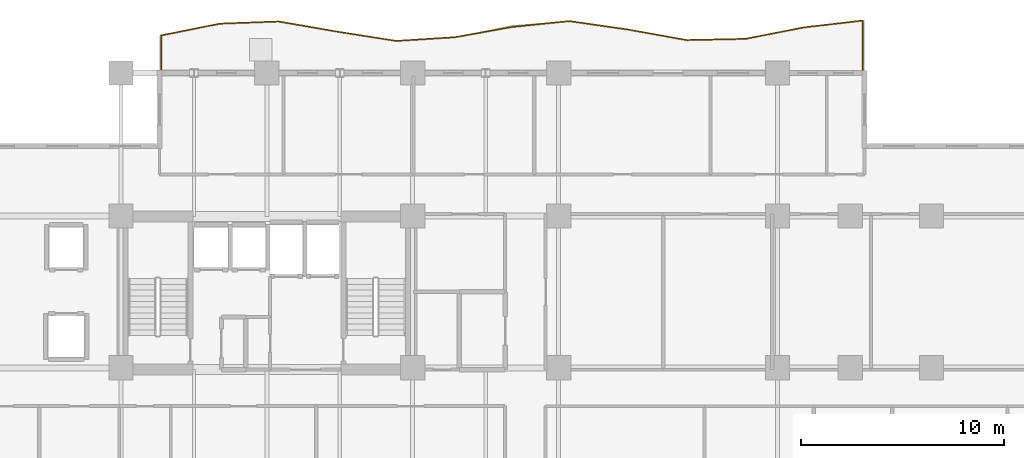
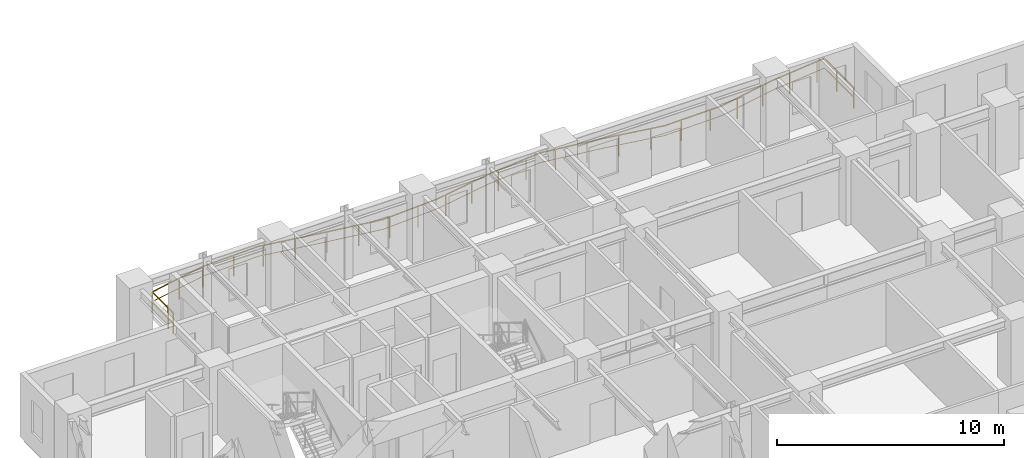
# One storey, part 11 of 11: 1 railing.
"""IFC4 building model written with IfcOpenShell, lengths in metres."""

from ifc_helpers import new_model, si_unit, direction, frame, origin, origin_2d, place, context, subcontext, project, spatial, rectangle, extrude, material, type_object, element, save


model = new_model("IFC4")

# Units and contexts
model_context = context("Model", 3, precision=1e-05, world=origin(), true_north=direction((0.0, 1.0)))
body_context = subcontext(model_context, "Body", "Model", "MODEL_VIEW")
ifc_project = project(units=[si_unit("LENGTHUNIT", "METRE"), si_unit("AREAUNIT", "SQUARE_METRE"), si_unit("VOLUMEUNIT", "CUBIC_METRE"), si_unit("PLANEANGLEUNIT", "RADIAN"), si_unit("MASSUNIT", "GRAM", prefix="KILO")], contexts=[model_context])

# Site, building, storey
site_placement = place(None, origin())
site = spatial("IfcSite", under=ifc_project, at=site_placement, CompositionType="ELEMENT")
building_placement = place(site_placement, origin())
building = spatial("IfcBuilding", under=site, at=building_placement, Name="Kaliganga Portal Commons", CompositionType="ELEMENT")
storey_placement = place(building_placement, frame((0.0, 0.0, 115.60009765625)))
storey = spatial("IfcBuildingStorey", under=building, at=storey_placement, Name="L29", CompositionType="ELEMENT", Elevation=115.60009765625)

# Railing
ifc_material = material(Name="Laminated Safety Glass and Stainless Steel 316", Category="steel")
railing_type = type_object("IfcRailingType", Name="RLG-BAL-1150", PredefinedType="BALUSTRADE", material=ifc_material)
railing_placement = place(storey_placement, frame((51.0205078125, 43.20849609375, 0.0)))
element("IfcRailing", 1, at=railing_placement, inside=storey, type_object=railing_type, Name="Balcony Guardrail L29 balc_north", PredefinedType="BALUSTRADE", context=body_context, shape_type="SweptSolid", body=[
    extrude(rectangle(XDim=0.048095703125, YDim=0.048095703125, at=origin_2d()), frame((0.0, 0.0, 1.1259765625), z_axis=(-0.000188679242, 0.9999999822, 0.0), x_axis=(-0.9999999822, -0.000188679242, 0.0)), (0.0, 0.0, 1.0), 2.587890625),
    extrude(rectangle(XDim=0.028076171875, YDim=0.028076171875, at=origin_2d()), frame((0.0, 0.0, 0.597900390625), z_axis=(-0.000188679242, 0.9999999822, 0.0), x_axis=(-0.9999999822, -0.000188679242, 0.0)), (0.0, 0.0, 1.0), 2.587890625),
    extrude(rectangle(XDim=0.048095703125, YDim=0.048095703125, at=origin_2d()), frame((-0.00048828125, 2.587890625, 1.1259765625), z_axis=(-0.993356824313, -0.115074843429, 0.0), x_axis=(0.115074843429, -0.993356824313, 0.0)), (0.0, 0.0, 1.0), 2.919189453125),
    extrude(rectangle(XDim=0.028076171875, YDim=0.028076171875, at=origin_2d()), frame((-0.00048828125, 2.587890625, 0.597900390625), z_axis=(-0.993356824313, -0.115074843429, 0.0), x_axis=(0.115074843429, -0.993356824313, 0.0)), (0.0, 0.0, 1.0), 2.919189453125),
    extrude(rectangle(XDim=0.048095703125, YDim=0.048095703125, at=origin_2d()), frame((-2.900390625, 2.251953125, 1.1259765625), z_axis=(-0.981301513989, -0.192476852226, 0.0), x_axis=(0.192476852226, -0.981301513989, 0.0)), (0.0, 0.0, 1.0), 2.955322265625),
    extrude(rectangle(XDim=0.028076171875, YDim=0.028076171875, at=origin_2d()), frame((-2.900390625, 2.251953125, 0.597900390625), z_axis=(-0.981301513989, -0.192476852226, 0.0), x_axis=(0.192476852226, -0.981301513989, 0.0)), (0.0, 0.0, 1.0), 2.955322265625),
    extrude(rectangle(XDim=0.048095703125, YDim=0.048095703125, at=origin_2d()), frame((-5.800537109375, 1.68310546875, 1.1259765625), z_axis=(-0.999778578842, -0.021042654042, 0.0), x_axis=(0.021042654042, -0.999778578842, 0.0)), (0.0, 0.0, 1.0), 2.900634765625),
    extrude(rectangle(XDim=0.028076171875, YDim=0.028076171875, at=origin_2d()), frame((-5.800537109375, 1.68310546875, 0.597900390625), z_axis=(-0.999778578842, -0.021042654042, 0.0), x_axis=(0.021042654042, -0.999778578842, 0.0)), (0.0, 0.0, 1.0), 2.900634765625),
    extrude(rectangle(XDim=0.048095703125, YDim=0.048095703125, at=origin_2d()), frame((-8.700439453125, 1.6220703125, 1.1259765625), z_axis=(-0.98412606857, 0.177470789601, 0.0), x_axis=(-0.177470789601, -0.98412606857, 0.0)), (0.0, 0.0, 1.0), 2.94677734375),
    extrude(rectangle(XDim=0.028076171875, YDim=0.028076171875, at=origin_2d()), frame((-8.700439453125, 1.6220703125, 0.597900390625), z_axis=(-0.98412606857, 0.177470789601, 0.0), x_axis=(-0.177470789601, -0.98412606857, 0.0)), (0.0, 0.0, 1.0), 2.94677734375),
    extrude(rectangle(XDim=0.048095703125, YDim=0.048095703125, at=origin_2d()), frame((-11.600341796875, 2.14501953125, 1.1259765625), z_axis=(-0.989896041483, 0.141795017739, 0.0), x_axis=(-0.141795017739, -0.989896041483, 0.0)), (0.0, 0.0, 1.0), 2.927001953125),
    extrude(rectangle(XDim=0.028076171875, YDim=0.028076171875, at=origin_2d()), frame((-11.600341796875, 2.14501953125, 0.597900390625), z_axis=(-0.989896041483, 0.141795017739, 0.0), x_axis=(-0.141795017739, -0.989896041483, 0.0)), (0.0, 0.0, 1.0), 2.927001953125),
    extrude(rectangle(XDim=0.048095703125, YDim=0.048095703125, at=origin_2d()), frame((-14.497802734375, 2.56005859375, 1.1259765625), z_axis=(-0.994806264144, -0.101786525729, 0.0), x_axis=(0.101786525729, -0.994806264144, 0.0)), (0.0, 0.0, 1.0), 2.83740234375),
    extrude(rectangle(XDim=0.028076171875, YDim=0.028076171875, at=origin_2d()), frame((-14.497802734375, 2.56005859375, 0.597900390625), z_axis=(-0.994806264144, -0.101786525729, 0.0), x_axis=(0.101786525729, -0.994806264144, 0.0)), (0.0, 0.0, 1.0), 2.83740234375),
    extrude(rectangle(XDim=0.048095703125, YDim=0.048095703125, at=origin_2d()), frame((-17.320556640625, 2.271240234375, 1.1259765625), z_axis=(-0.98412652958, -0.17746823315, 0.0), x_axis=(0.17746823315, -0.98412652958, 0.0)), (0.0, 0.0, 1.0), 2.865478515625),
    extrude(rectangle(XDim=0.028076171875, YDim=0.028076171875, at=origin_2d()), frame((-17.320556640625, 2.271240234375, 0.597900390625), z_axis=(-0.98412652958, -0.17746823315, 0.0), x_axis=(0.17746823315, -0.98412652958, 0.0)), (0.0, 0.0, 1.0), 2.865478515625),
    extrude(rectangle(XDim=0.048095703125, YDim=0.048095703125, at=origin_2d()), frame((-20.140625, 1.7626953125, 1.1259765625), z_axis=(-0.998059764727, -0.062263199669, 0.0), x_axis=(0.062263199669, -0.998059764727, 0.0)), (0.0, 0.0, 1.0), 2.905517578125),
    extrude(rectangle(XDim=0.028076171875, YDim=0.028076171875, at=origin_2d()), frame((-20.140625, 1.7626953125, 0.597900390625), z_axis=(-0.998059764727, -0.062263199669, 0.0), x_axis=(0.062263199669, -0.998059764727, 0.0)), (0.0, 0.0, 1.0), 2.905517578125),
    extrude(rectangle(XDim=0.048095703125, YDim=0.048095703125, at=origin_2d()), frame((-23.04052734375, 1.581787109375, 1.1259765625), z_axis=(-0.9877818378, 0.155843000845, 0.0), x_axis=(-0.155843000845, -0.9877818378, 0.0)), (0.0, 0.0, 1.0), 2.935791015625),
    extrude(rectangle(XDim=0.028076171875, YDim=0.028076171875, at=origin_2d()), frame((-23.04052734375, 1.581787109375, 0.597900390625), z_axis=(-0.9877818378, 0.155843000845, 0.0), x_axis=(-0.155843000845, -0.9877818378, 0.0)), (0.0, 0.0, 1.0), 2.935791015625),
    extrude(rectangle(XDim=0.048095703125, YDim=0.048095703125, at=origin_2d()), frame((-25.9404296875, 2.039306640625, 1.1259765625), z_axis=(-0.985324763946, 0.170690097997, 0.0), x_axis=(-0.170690097997, -0.985324763946, 0.0)), (0.0, 0.0, 1.0), 2.943603515625),
    extrude(rectangle(XDim=0.028076171875, YDim=0.028076171875, at=origin_2d()), frame((-25.9404296875, 2.039306640625, 0.597900390625), z_axis=(-0.985324763946, 0.170690097997, 0.0), x_axis=(-0.170690097997, -0.985324763946, 0.0)), (0.0, 0.0, 1.0), 2.943603515625),
    extrude(rectangle(XDim=0.048095703125, YDim=0.048095703125, at=origin_2d()), frame((-28.8408203125, 2.541748046875, 1.1259765625), z_axis=(-0.999292645016, -0.037605978475, 0.0), x_axis=(0.037605978475, -0.999292645016, 0.0)), (0.0, 0.0, 1.0), 2.90185546875),
    extrude(rectangle(XDim=0.028076171875, YDim=0.028076171875, at=origin_2d()), frame((-28.8408203125, 2.541748046875, 0.597900390625), z_axis=(-0.999292645016, -0.037605978475, 0.0), x_axis=(0.037605978475, -0.999292645016, 0.0)), (0.0, 0.0, 1.0), 2.90185546875),
    extrude(rectangle(XDim=0.048095703125, YDim=0.048095703125, at=origin_2d()), frame((-31.74072265625, 2.4326171875, 1.1259765625), z_axis=(-0.980621932886, -0.195909736213, 0.0), x_axis=(0.195909736213, -0.980621932886, 0.0)), (0.0, 0.0, 1.0), 2.957275390625),
    extrude(rectangle(XDim=0.028076171875, YDim=0.028076171875, at=origin_2d()), frame((-31.74072265625, 2.4326171875, 0.597900390625), z_axis=(-0.980621932886, -0.195909736213, 0.0), x_axis=(0.195909736213, -0.980621932886, 0.0)), (0.0, 0.0, 1.0), 2.957275390625),
    extrude(rectangle(XDim=0.048095703125, YDim=0.048095703125, at=origin_2d()), frame((-34.640625, 1.853271484375, 1.1259765625), z_axis=(-0.000131734948, -0.999999991323, 0.0), x_axis=(0.999999991323, -0.000131734948, 0.0)), (0.0, 0.0, 1.0), 1.853271484375),
    extrude(rectangle(XDim=0.028076171875, YDim=0.028076171875, at=origin_2d()), frame((-34.640625, 1.853271484375, 0.597900390625), z_axis=(-0.000131734948, -0.999999991323, 0.0), x_axis=(0.999999991323, -0.000131734948, 0.0)), (0.0, 0.0, 1.0), 1.853271484375),
    extrude(rectangle(XDim=0.0419921875, YDim=0.0419921875, at=origin_2d()), origin(), (0.0, 0.0, 1.0), 1.101806640625),
    extrude(rectangle(XDim=0.0419921875, YDim=0.0419921875, at=origin_2d()), frame((-0.000244140625, 1.5, 0.0)), (0.0, 0.0, 1.0), 1.101806640625),
    extrude(rectangle(XDim=0.0419921875, YDim=0.0419921875, at=origin_2d()), frame((-0.409912109375, 2.54052734375, 0.0)), (0.0, 0.0, 1.0), 1.101806640625),
    extrude(rectangle(XDim=0.0419921875, YDim=0.0419921875, at=origin_2d()), frame((-1.89990234375, 2.367919921875, 0.0)), (0.0, 0.0, 1.0), 1.101806640625),
    extrude(rectangle(XDim=0.0419921875, YDim=0.0419921875, at=origin_2d()), frame((-3.384033203125, 2.156982421875, 0.0)), (0.0, 0.0, 1.0), 1.101806640625),
    extrude(rectangle(XDim=0.0419921875, YDim=0.0419921875, at=origin_2d()), frame((-4.85595703125, 1.868408203125, 0.0)), (0.0, 0.0, 1.0), 1.101806640625),
    extrude(rectangle(XDim=0.0419921875, YDim=0.0419921875, at=origin_2d()), frame((-6.337890625, 1.671875, 0.0)), (0.0, 0.0, 1.0), 1.101806640625),
    extrude(rectangle(XDim=0.0419921875, YDim=0.0419921875, at=origin_2d()), frame((-7.83740234375, 1.64013671875, 0.0)), (0.0, 0.0, 1.0), 1.101806640625),
    extrude(rectangle(XDim=0.0419921875, YDim=0.0419921875, at=origin_2d()), frame((-9.3271484375, 1.735107421875, 0.0)), (0.0, 0.0, 1.0), 1.101806640625),
    extrude(rectangle(XDim=0.0419921875, YDim=0.0419921875, at=origin_2d()), frame((-10.803466796875, 2.001220703125, 0.0)), (0.0, 0.0, 1.0), 1.101806640625),
    extrude(rectangle(XDim=0.0419921875, YDim=0.0419921875, at=origin_2d()), frame((-12.283447265625, 2.242919921875, 0.0)), (0.0, 0.0, 1.0), 1.101806640625),
    extrude(rectangle(XDim=0.0419921875, YDim=0.0419921875, at=origin_2d()), frame((-13.768310546875, 2.45556640625, 0.0)), (0.0, 0.0, 1.0), 1.101806640625),
    extrude(rectangle(XDim=0.0419921875, YDim=0.0419921875, at=origin_2d()), frame((-15.257080078125, 2.482421875, 0.0)), (0.0, 0.0, 1.0), 1.101806640625),
    extrude(rectangle(XDim=0.0419921875, YDim=0.0419921875, at=origin_2d()), frame((-16.749267578125, 2.32958984375, 0.0)), (0.0, 0.0, 1.0), 1.101806640625),
    extrude(rectangle(XDim=0.0419921875, YDim=0.0419921875, at=origin_2d()), frame((-18.2314453125, 2.10693359375, 0.0)), (0.0, 0.0, 1.0), 1.101806640625),
    extrude(rectangle(XDim=0.0419921875, YDim=0.0419921875, at=origin_2d()), frame((-19.707763671875, 1.8408203125, 0.0)), (0.0, 0.0, 1.0), 1.101806640625),
    extrude(rectangle(XDim=0.0419921875, YDim=0.0419921875, at=origin_2d()), frame((-21.19873046875, 1.69677734375, 0.0)), (0.0, 0.0, 1.0), 1.101806640625),
    extrude(rectangle(XDim=0.0419921875, YDim=0.0419921875, at=origin_2d()), frame((-22.69580078125, 1.603271484375, 0.0)), (0.0, 0.0, 1.0), 1.101806640625),
    extrude(rectangle(XDim=0.0419921875, YDim=0.0419921875, at=origin_2d()), frame((-24.180908203125, 1.76171875, 0.0)), (0.0, 0.0, 1.0), 1.101806640625),
    extrude(rectangle(XDim=0.0419921875, YDim=0.0419921875, at=origin_2d()), frame((-25.66259765625, 1.995361328125, 0.0)), (0.0, 0.0, 1.0), 1.101806640625),
    extrude(rectangle(XDim=0.0419921875, YDim=0.0419921875, at=origin_2d()), frame((-27.141357421875, 2.247314453125, 0.0)), (0.0, 0.0, 1.0), 1.101806640625),
    extrude(rectangle(XDim=0.0419921875, YDim=0.0419921875, at=origin_2d()), frame((-28.619384765625, 2.50341796875, 0.0)), (0.0, 0.0, 1.0), 1.101806640625),
    extrude(rectangle(XDim=0.0419921875, YDim=0.0419921875, at=origin_2d()), frame((-30.115234375, 2.493896484375, 0.0)), (0.0, 0.0, 1.0), 1.101806640625),
    extrude(rectangle(XDim=0.0419921875, YDim=0.0419921875, at=origin_2d()), frame((-31.74072265625, 2.4326171875, 0.0)), (0.0, 0.0, 1.0), 1.101806640625),
    extrude(rectangle(XDim=0.0419921875, YDim=0.0419921875, at=origin_2d()), frame((-33.08740234375, 2.16357421875, 0.0)), (0.0, 0.0, 1.0), 1.101806640625),
    extrude(rectangle(XDim=0.0419921875, YDim=0.0419921875, at=origin_2d()), frame((-34.640625, 1.853271484375, 0.0)), (0.0, 0.0, 1.0), 1.101806640625),
    extrude(rectangle(XDim=0.0419921875, YDim=0.0419921875, at=origin_2d()), frame((-34.640869140625, 0.437255859375, 0.0)), (0.0, 0.0, 1.0), 1.101806640625),
    extrude(rectangle(XDim=0.0419921875, YDim=0.0419921875, at=origin_2d()), frame((-34.640869140625, 0.0, 0.0)), (0.0, 0.0, 1.0), 1.101806640625),
])

save(model, "model.ifc")
